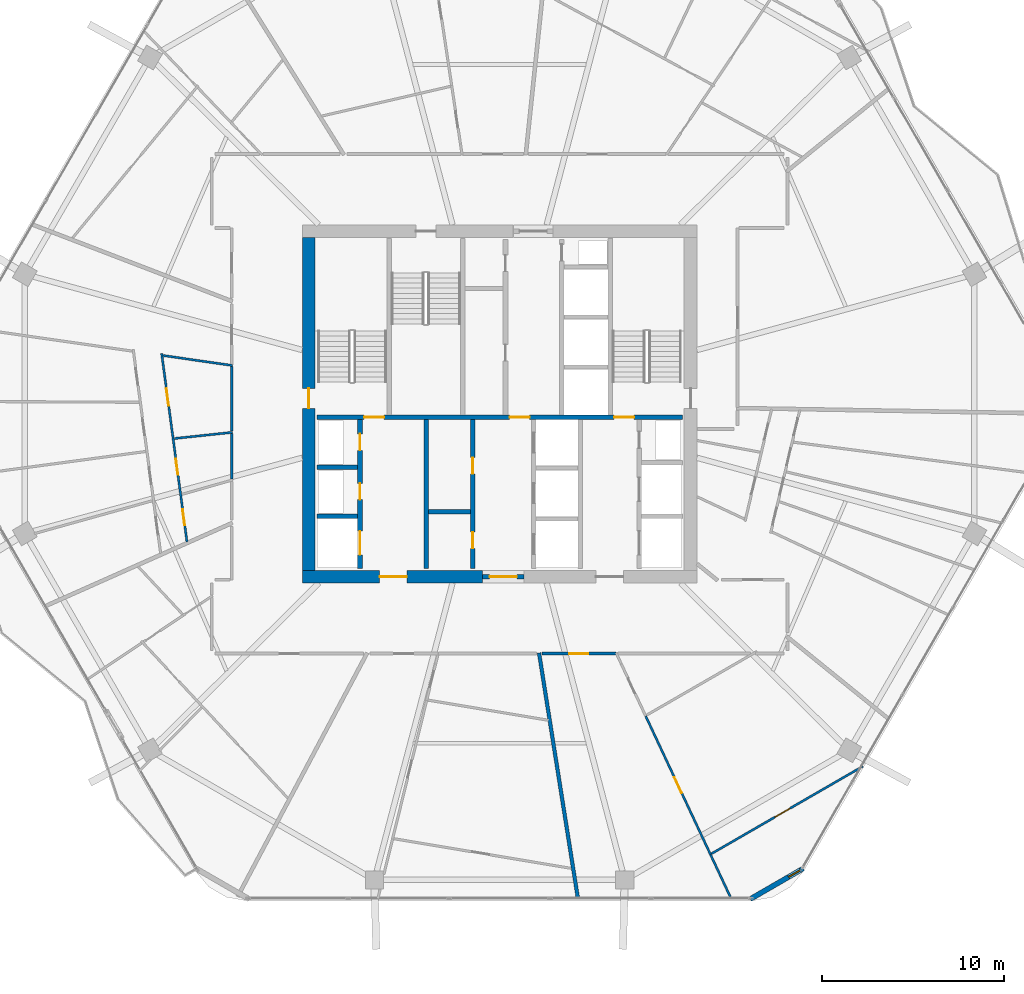
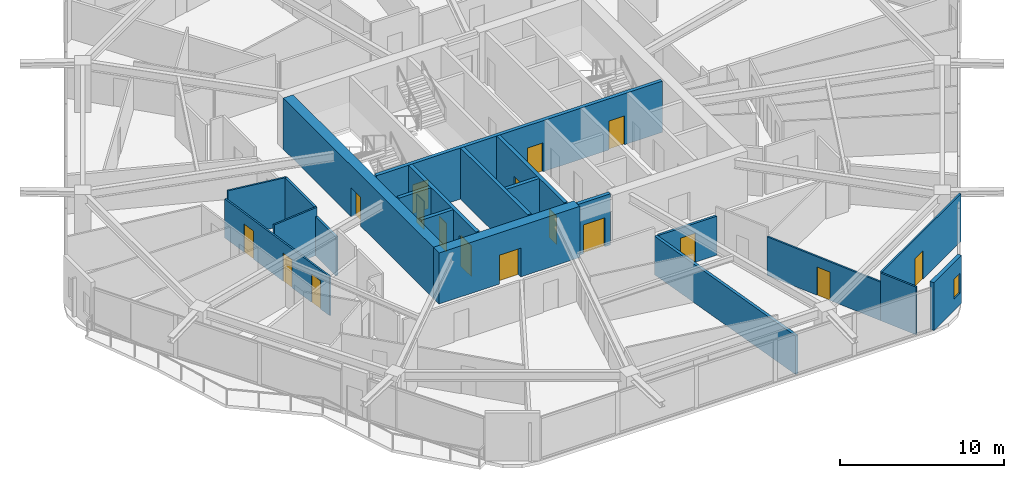
# One storey, part 18 of 25: 21 walls, 17 doors, 1 window, 18 openings.
"""IFC4 building model written with IfcOpenShell, lengths in metres."""

from ifc_helpers import new_model, si_unit, direction, frame, frame_2d, origin, place, context, subcontext, project, spatial, rectangle, extrude, material, layer, layer_set, type_object, element, fill, save


model = new_model("IFC4")

# Units and contexts
model_context = context("Model", 3, precision=1e-05, world=origin(), true_north=direction((0.0, 1.0)))
body_context = subcontext(model_context, "Body", "Model", "MODEL_VIEW")
ifc_project = project(units=[si_unit("LENGTHUNIT", "METRE"), si_unit("AREAUNIT", "SQUARE_METRE"), si_unit("VOLUMEUNIT", "CUBIC_METRE"), si_unit("PLANEANGLEUNIT", "RADIAN"), si_unit("MASSUNIT", "GRAM", prefix="KILO")], contexts=[model_context])

# Site, building, storey
site_placement = place(None, origin())
site = spatial("IfcSite", under=ifc_project, at=site_placement, CompositionType="ELEMENT")
building_placement = place(site_placement, origin())
building = spatial("IfcBuilding", under=site, at=building_placement, Name="Zuhravey Tower", CompositionType="ELEMENT")
storey_placement = place(building_placement, frame((0.0, 0.0, 180.800048828125)))
storey = spatial("IfcBuildingStorey", under=building, at=storey_placement, Name="L45", CompositionType="ELEMENT", Elevation=180.800048828125)

# Wall, opening, door
ifc_material_1 = material(Name="Concrete C60/75", Category="concrete")
ifc_layer_1 = layer(ifc_material_1, 0.699951171875)
ifc_layer_set_1 = layer_set([ifc_layer_1], Name="Concrete C60/75")
wall_type_1 = type_object("IfcWallType", Name="Core Shear Wall 700", PredefinedType="SHEAR", material=ifc_layer_set_1)
wall_1_placement = place(storey_placement, frame((25.14990234375, 22.5, 0.0), z_axis=(0.0, 0.0, 1.0), x_axis=(1.0, 0.0, 0.0)))
wall_1 = element("IfcWall", 1, at=wall_1_placement, inside=storey, type_object=wall_type_1, Name="L45 South-West Core Shear Wall CW70", PredefinedType="SHEAR", context=body_context, shape_type="SweptSolid", body=[
    extrude(rectangle(XDim=9.900146484375, YDim=0.699951171875, at=frame_2d((4.9501953125, 0.0))), origin(), (0.0, 0.0, 1.0), 3.800048828125),
])
opening_1_placement = place(wall_1_placement, frame((4.25, 0.0, 0.0)))
opening_1 = element("IfcOpeningElement", 2, at=opening_1_placement, cuts=wall_1, Name="Opening FFD1", PredefinedType="OPENING", context=body_context, shape_type="SweptSolid", body=[
    extrude(rectangle(XDim=1.5, YDim=2.14990234375, at=frame_2d((0.75, 1.074951171875))), frame((0.0, 0.362060546875, 0.0), z_axis=(0.0, -1.0, 0.0), x_axis=(1.0, 0.0, 0.0)), (0.0, 0.0, 1.0), 0.723876953125),
])
ifc_material_2 = material(Name="Galvanised fire-rated steel leaf", Category="steel")
door_type_1 = type_object("IfcDoorType", Name="Firefighting Lobby Double Door 1500x2150", OperationType="DOUBLE_DOOR_SINGLE_SWING", PredefinedType="DOOR", material=ifc_material_2)
door_1_placement = place(opening_1_placement, origin())
door_1 = element("IfcDoor", 3, at=door_1_placement, inside=storey, type_object=door_type_1, Name="L45 Firefighting Lobby West Door", OperationType="DOUBLE_DOOR_SINGLE_SWING", OverallHeight=2.14990234375, OverallWidth=1.5, PredefinedType="DOOR", context=body_context, shape_type="SweptSolid", body=[
    extrude(rectangle(XDim=1.5, YDim=2.14990234375, at=frame_2d((0.75, 1.074951171875))), frame((0.0, 0.02490234375, 0.0), z_axis=(0.0, -1.0, 0.0), x_axis=(1.0, 0.0, 0.0)), (0.0, 0.0, 1.0), 0.050048828125),
])
fill(opening_1, door_1)

wall_2_placement = place(storey_placement, frame((25.5, 22.85009765625, 0.0), z_axis=(0.0, 0.0, 1.0), x_axis=(0.0, 1.0, 0.0)))
wall_2 = element("IfcWall", 4, at=wall_2_placement, inside=storey, type_object=wall_type_1, Name="L45 West Core Shear Wall CW70", PredefinedType="SHEAR", context=body_context, shape_type="SweptSolid", body=[
    extrude(rectangle(XDim=18.2998046875, YDim=0.699951171875, at=frame_2d((9.14990234375, 0.0))), origin(), (0.0, 0.0, 1.0), 3.800048828125),
])
opening_2_placement = place(wall_2_placement, frame((8.89990234375, 0.0, 0.0)))
opening_2 = element("IfcOpeningElement", 5, at=opening_2_placement, cuts=wall_2, Name="Opening STD1", PredefinedType="OPENING", context=body_context, shape_type="SweptSolid", body=[
    extrude(rectangle(XDim=1.10009765625, YDim=2.14990234375, at=frame_2d((0.550048828125, 1.074951171875))), frame((0.0, 0.362060546875, 0.0), z_axis=(0.0, -1.0, 0.0), x_axis=(1.0, 0.0, 0.0)), (0.0, 0.0, 1.0), 0.723876953125),
])
door_type_2 = type_object("IfcDoorType", Name="Protected Stair Fire Door 1100x2150", OperationType="NOTDEFINED", PredefinedType="USERDEFINED", material=ifc_material_2)
door_2_placement = place(opening_2_placement, frame((1.10009765625, 0.0, 0.0), z_axis=(0.0, 0.0, 1.0), x_axis=(-1.0, 0.0, 0.0)))
door_2 = element("IfcDoor", 6, at=door_2_placement, inside=storey, type_object=door_type_2, Name="L45 Stair ST1 Door", ObjectType="EXITDOOR", OperationType="SINGLE_SWING_RIGHT", OverallHeight=2.14990234375, OverallWidth=1.10009765625, PredefinedType="USERDEFINED", context=body_context, shape_type="SweptSolid", body=[
    extrude(rectangle(XDim=1.10009765625, YDim=2.14990234375, at=frame_2d((0.550048828125, 1.074951171875))), frame((0.0, 0.02490234375, 0.0), z_axis=(0.0, -1.0, 0.0), x_axis=(1.0, 0.0, 0.0)), (0.0, 0.0, 1.0), 0.050048828125),
])
fill(opening_2, door_2)

ifc_material_3 = material(Name="Gypsum fire-rated stud partition")
ifc_layer_2 = layer(ifc_material_3, 0.159912109375)
ifc_layer_set_2 = layer_set([ifc_layer_2], Name="Gypsum fire-rated stud partition")
wall_type_2 = type_object("IfcWallType", Name="Corridor Fire Partition 160", PredefinedType="PARTITIONING", material=ifc_layer_set_2)
wall_3_placement = place(storey_placement, frame((38.31787109375, 18.27001953125, 0.0), z_axis=(0.0, 0.0, 1.0), x_axis=(1.0, 0.0, 0.0)))
wall_3 = element("IfcWall", 7, at=wall_3_placement, inside=storey, type_object=wall_type_2, Name="L45 IW16 Partition 050", PredefinedType="PARTITIONING", context=body_context, shape_type="SweptSolid", body=[
    extrude(rectangle(XDim=4.0859375, YDim=0.159912109375, at=frame_2d((2.04296875, 0.0))), origin(), (0.0, 0.0, 1.0), 2.89990234375),
])
opening_3_placement = place(wall_3_placement, frame((1.517822265625, 0.0, 0.0)))
opening_3 = element("IfcOpeningElement", 8, at=opening_3_placement, cuts=wall_3, Name="Opening APD1", PredefinedType="OPENING", context=body_context, shape_type="SweptSolid", body=[
    extrude(rectangle(XDim=1.050048828125, YDim=2.14990234375, at=frame_2d((0.52490234375, 1.074951171875))), frame((0.0, 0.092041015625, 0.0), z_axis=(0.0, -1.0, 0.0), x_axis=(1.0, 0.0, 0.0)), (0.0, 0.0, 1.0), 0.183837890625),
])
ifc_material_4 = material(Name="Solid-core oak fire-rated leaf")
door_type_3 = type_object("IfcDoorType", Name="Apartment Entrance Fire Door 1050x2150", OperationType="NOTDEFINED", PredefinedType="DOOR", material=ifc_material_4)
door_3_placement = place(opening_3_placement, frame((1.050048828125, 0.0, 0.0), z_axis=(0.0, 0.0, 1.0), x_axis=(-1.0, 0.0, 0.0)))
door_3 = element("IfcDoor", 9, at=door_3_placement, inside=storey, type_object=door_type_3, Name="L45 Door 050.1", OperationType="SINGLE_SWING_RIGHT", OverallHeight=2.14990234375, OverallWidth=1.050048828125, PredefinedType="DOOR", context=body_context, shape_type="SweptSolid", body=[
    extrude(rectangle(XDim=1.050048828125, YDim=2.14990234375, at=frame_2d((0.52490234375, 1.074951171875))), frame((0.0, 0.02490234375, 0.0), z_axis=(0.0, -1.0, 0.0), x_axis=(1.0, 0.0, 0.0)), (0.0, 0.0, 1.0), 0.050048828125),
])
fill(opening_3, door_3)

# Walls
wall_4_placement = place(storey_placement, frame((21.27001953125, 34.048583984375, 0.0), z_axis=(0.0, 0.0, 1.0), x_axis=(0.0, -1.0, 0.0)))
element("IfcWall", 10, at=wall_4_placement, inside=storey, type_object=wall_type_2, Name="L45 IW16 Partition 111", PredefinedType="PARTITIONING", context=body_context, shape_type="SweptSolid", body=[
    extrude(rectangle(XDim=3.548095703125, YDim=0.159912109375, at=frame_2d((1.77392578125, 0.0))), origin(), (0.0, 0.0, 1.0), 3.550048828125),
])
wall_5_placement = place(storey_placement, frame((21.27001953125, 30.36376953125, 0.0), z_axis=(0.0, 0.0, 1.0), x_axis=(0.0, -1.0, 0.0)))
element("IfcWall", 11, at=wall_5_placement, inside=storey, type_object=wall_type_2, Name="L45 IW16 Partition 112", PredefinedType="PARTITIONING", context=body_context, shape_type="SweptSolid", body=[
    extrude(rectangle(XDim=2.488037109375, YDim=0.159912109375, at=frame_2d((1.244140625, 0.0))), origin(), (0.0, 0.0, 1.0), 2.89990234375),
])

# Wall, opening, window
ifc_material_5 = material(Name="Precast concrete C40/50", Category="concrete")
ifc_layer_3 = layer(ifc_material_5, 0.280029296875)
ifc_layer_set_3 = layer_set([ifc_layer_3], Name="Precast concrete C40/50")
wall_type_3 = type_object("IfcWallType", Name="Crown Architectural Wall 280", PredefinedType="SOLIDWALL", material=ifc_layer_set_3)
wall_6_placement = place(storey_placement, frame((52.693115234375, 6.451904296875, 0.0), z_axis=(0.0, 0.0, 1.0), x_axis=(-0.866020068361, -0.500009241111, 0.0)))
wall_6 = element("IfcWall", 12, at=wall_6_placement, inside=storey, type_object=wall_type_3, Name="L45 Rounded Corner Closure Wall EW28-02", PredefinedType="SOLIDWALL", context=body_context, shape_type="SweptSolid", body=[
    extrude(rectangle(XDim=3.365234375, YDim=0.280029296875, at=frame_2d((1.6826171875, 0.0))), origin(), (0.0, 0.0, 1.0), 3.550048828125),
])
opening_4_placement = place(wall_6_placement, frame((0.17919921875, 0.0, 0.85009765625)))
opening_4 = element("IfcOpeningElement", 13, at=opening_4_placement, cuts=wall_6, Name="Opening WN5", PredefinedType="OPENING", context=body_context, shape_type="SweptSolid", body=[
    extrude(rectangle(XDim=0.75, YDim=1.5, at=frame_2d((0.375, 0.75))), frame((0.0, 0.152099609375, 0.0), z_axis=(0.0, -1.0, 0.0), x_axis=(1.0, 0.0, 0.0)), (0.0, 0.0, 1.0), 0.303955078125),
])
ifc_material_6 = material(Name="Thermally broken aluminium and triple low-E glass", Category="aluminium")
window_type = type_object("IfcWindowType", Name="Residential Corner Casement Window 750x1500", PartitioningType="SINGLE_PANEL", PredefinedType="WINDOW", material=ifc_material_6)
window_placement = place(opening_4_placement, origin())
window = element("IfcWindow", 14, at=window_placement, inside=storey, type_object=window_type, Name="L45 Corner Casement Window WN5-02.1", OverallHeight=1.5, OverallWidth=0.75, PartitioningType="SINGLE_PANEL", PredefinedType="WINDOW", context=body_context, shape_type="SweptSolid", body=[
    extrude(rectangle(XDim=0.75, YDim=1.5, at=frame_2d((0.375, 0.75))), frame((0.0, 0.030029296875, 0.0), z_axis=(0.0, -1.0, 0.0), x_axis=(1.0, 0.0, 0.0)), (0.0, 0.0, 1.0), 0.06005859375),
])
fill(opening_4, window)

# Wall, opening, door
ifc_material_7 = material(Name="Concrete C50/60", Category="concrete")
ifc_layer_4 = layer(ifc_material_7, 0.25)
ifc_layer_set_4 = layer_set([ifc_layer_4], Name="Concrete C50/60")
wall_type_4 = type_object("IfcWallType", Name="Firefighting Shaft & Stair Wall 250", PredefinedType="SOLIDWALL", material=ifc_layer_set_4)
wall_7_placement = place(storey_placement, frame((35.06005859375, 22.5, 0.0), z_axis=(0.0, 0.0, 1.0), x_axis=(1.0, 0.0, 0.0)))
wall_7 = element("IfcWall", 15, at=wall_7_placement, inside=storey, type_object=wall_type_4, Name="L45 FW25 Shaft Wall 001", PredefinedType="SOLIDWALL", context=body_context, shape_type="SweptSolid", body=[
    extrude(rectangle(XDim=2.280029296875, YDim=0.25, at=frame_2d((1.14013671875, 0.0))), origin(), (0.0, 0.0, 1.0), 3.800048828125),
])
opening_5_placement = place(wall_7_placement, frame((0.389892578125, 0.0, 0.0)))
opening_5 = element("IfcOpeningElement", 16, at=opening_5_placement, cuts=wall_7, Name="Opening FFD1", PredefinedType="OPENING", context=body_context, shape_type="SweptSolid", body=[
    extrude(rectangle(XDim=1.5, YDim=2.14990234375, at=frame_2d((0.75, 1.074951171875))), frame((0.0, 0.136962890625, 0.0), z_axis=(0.0, -1.0, 0.0), x_axis=(1.0, 0.0, 0.0)), (0.0, 0.0, 1.0), 0.27392578125),
])
door_4_placement = place(opening_5_placement, frame((1.5, 0.0, 0.0), z_axis=(0.0, 0.0, 1.0), x_axis=(-1.0, 0.0, 0.0)))
door_4 = element("IfcDoor", 17, at=door_4_placement, inside=storey, type_object=door_type_1, Name="L45 South Lift Lobby Exit Door", OperationType="DOUBLE_DOOR_SINGLE_SWING", OverallHeight=2.14990234375, OverallWidth=1.5, PredefinedType="DOOR", context=body_context, shape_type="SweptSolid", body=[
    extrude(rectangle(XDim=1.5, YDim=2.14990234375, at=frame_2d((0.75, 1.074951171875))), frame((0.0, 0.02490234375, 0.0), z_axis=(0.0, -1.0, 0.0), x_axis=(1.0, 0.0, 0.0)), (0.0, 0.0, 1.0), 0.050048828125),
])
fill(opening_5, door_4)

# Wall, openings, doors
wall_8_placement = place(storey_placement, frame((25.949951171875, 31.27490234375, 0.0), z_axis=(0.0, 0.0, 1.0), x_axis=(1.0, 0.0, 0.0)))
wall_8 = element("IfcWall", 18, at=wall_8_placement, inside=storey, type_object=wall_type_4, Name="L45 FW25 Shaft Wall 003", PredefinedType="SOLIDWALL", context=body_context, shape_type="SweptSolid", body=[
    extrude(rectangle(XDim=20.10009765625, YDim=0.25, at=frame_2d((10.050048828125, 0.0))), origin(), (0.0, 0.0, 1.0), 3.800048828125),
])
opening_6_placement = place(wall_8_placement, frame((2.60009765625, 0.0, 0.0)))
opening_6 = element("IfcOpeningElement", 19, at=opening_6_placement, cuts=wall_8, Name="Opening STD1", PredefinedType="OPENING", context=body_context, shape_type="SweptSolid", body=[
    extrude(rectangle(XDim=1.10009765625, YDim=2.14990234375, at=frame_2d((0.550048828125, 1.074951171875))), frame((0.0, 0.136962890625, 0.0), z_axis=(0.0, -1.0, 0.0), x_axis=(1.0, 0.0, 0.0)), (0.0, 0.0, 1.0), 0.27392578125),
])
opening_7_placement = place(wall_8_placement, frame((10.60009765625, 0.0, 0.0)))
opening_7 = element("IfcOpeningElement", 20, at=opening_7_placement, cuts=wall_8, Name="Opening STD1", PredefinedType="OPENING", context=body_context, shape_type="SweptSolid", body=[
    extrude(rectangle(XDim=1.10009765625, YDim=2.14990234375, at=frame_2d((0.550048828125, 1.074951171875))), frame((0.0, 0.136962890625, 0.0), z_axis=(0.0, -1.0, 0.0), x_axis=(1.0, 0.0, 0.0)), (0.0, 0.0, 1.0), 0.27392578125),
])
opening_8_placement = place(wall_8_placement, frame((16.35009765625, 0.0, 0.0)))
opening_8 = element("IfcOpeningElement", 21, at=opening_8_placement, cuts=wall_8, Name="Opening STD1", PredefinedType="OPENING", context=body_context, shape_type="SweptSolid", body=[
    extrude(rectangle(XDim=1.10009765625, YDim=2.14990234375, at=frame_2d((0.550048828125, 1.074951171875))), frame((0.0, 0.136962890625, 0.0), z_axis=(0.0, -1.0, 0.0), x_axis=(1.0, 0.0, 0.0)), (0.0, 0.0, 1.0), 0.27392578125),
])
door_5_placement = place(opening_6_placement, origin())
door_5 = element("IfcDoor", 22, at=door_5_placement, inside=storey, type_object=door_type_2, Name="L45 FFL-W to ST1 Door", ObjectType="EXITDOOR", OperationType="SINGLE_SWING_LEFT", OverallHeight=2.14990234375, OverallWidth=1.10009765625, PredefinedType="USERDEFINED", context=body_context, shape_type="SweptSolid", body=[
    extrude(rectangle(XDim=1.10009765625, YDim=2.14990234375, at=frame_2d((0.550048828125, 1.074951171875))), frame((0.0, 0.02490234375, 0.0), z_axis=(0.0, -1.0, 0.0), x_axis=(1.0, 0.0, 0.0)), (0.0, 0.0, 1.0), 0.050048828125),
])
fill(opening_6, door_5)
door_6_placement = place(opening_7_placement, origin())
door_6 = element("IfcDoor", 23, at=door_6_placement, inside=storey, type_object=door_type_2, Name="L45 Core Lobby Link Door", ObjectType="EXITDOOR", OperationType="SINGLE_SWING_RIGHT", OverallHeight=2.14990234375, OverallWidth=1.10009765625, PredefinedType="USERDEFINED", context=body_context, shape_type="SweptSolid", body=[
    extrude(rectangle(XDim=1.10009765625, YDim=2.14990234375, at=frame_2d((0.550048828125, 1.074951171875))), frame((0.0, 0.02490234375, 0.0), z_axis=(0.0, -1.0, 0.0), x_axis=(1.0, 0.0, 0.0)), (0.0, 0.0, 1.0), 0.050048828125),
])
fill(opening_7, door_6)
door_7_placement = place(opening_8_placement, origin())
door_7 = element("IfcDoor", 24, at=door_7_placement, inside=storey, type_object=door_type_2, Name="L45 FFL-E to ST2 Door", ObjectType="EXITDOOR", OperationType="SINGLE_SWING_LEFT", OverallHeight=2.14990234375, OverallWidth=1.10009765625, PredefinedType="USERDEFINED", context=body_context, shape_type="SweptSolid", body=[
    extrude(rectangle(XDim=1.10009765625, YDim=2.14990234375, at=frame_2d((0.550048828125, 1.074951171875))), frame((0.0, 0.02490234375, 0.0), z_axis=(0.0, -1.0, 0.0), x_axis=(1.0, 0.0, 0.0)), (0.0, 0.0, 1.0), 0.050048828125),
])
fill(opening_8, door_7)

# Walls
for number, where, z_axis, x_axis, name in (
    (25, (25.949951171875, 25.824951171875, 0.0), (0.0, 0.0, 1.0), (1.0, 0.0, 0.0), "L45 FW25 Shaft Wall 009"),
    (26, (25.949951171875, 28.52490234375, 0.0), (0.0, 0.0, 1.0), (1.0, 0.0, 0.0), "L45 FW25 Shaft Wall 010"),
):
    element("IfcWall", number, at=place(storey_placement, frame(where, z_axis=z_axis, x_axis=x_axis)), inside=storey, type_object=wall_type_4, Name=name, PredefinedType="SOLIDWALL", context=body_context, shape_type="SweptSolid", body=[
        extrude(rectangle(XDim=2.25, YDim=0.25, at=frame_2d((1.125, 0.0))), origin(), (0.0, 0.0, 1.0), 3.800048828125),
    ])

# Wall, openings, doors
wall_9_placement = place(storey_placement, frame((28.324951171875, 22.949951171875, 0.0), z_axis=(0.0, 0.0, 1.0), x_axis=(0.0, 1.0, 0.0)))
wall_9 = element("IfcWall", 27, at=wall_9_placement, inside=storey, type_object=wall_type_4, Name="L45 FW25 Shaft Wall 011", PredefinedType="SOLIDWALL", context=body_context, shape_type="SweptSolid", body=[
    extrude(rectangle(XDim=8.199951171875, YDim=0.25, at=frame_2d((4.10009765625, 0.0))), origin(), (0.0, 0.0, 1.0), 3.800048828125),
])
opening_9_placement = place(wall_9_placement, frame((0.75, 0.0, 0.0)))
opening_9 = element("IfcOpeningElement", 28, at=opening_9_placement, cuts=wall_9, Name="Opening LD2", PredefinedType="OPENING", context=body_context, shape_type="SweptSolid", body=[
    extrude(rectangle(XDim=1.300048828125, YDim=2.300048828125, at=frame_2d((0.64990234375, 1.14990234375))), frame((0.0, 0.136962890625, 0.0), z_axis=(0.0, -1.0, 0.0), x_axis=(1.0, 0.0, 0.0)), (0.0, 0.0, 1.0), 0.27392578125),
])
opening_10_placement = place(wall_9_placement, frame((3.780029296875, 0.0, 0.0)))
opening_10 = element("IfcOpeningElement", 29, at=opening_10_placement, cuts=wall_9, Name="Opening RSD1", PredefinedType="OPENING", context=body_context, shape_type="SweptSolid", body=[
    extrude(rectangle(XDim=0.89990234375, YDim=2.10009765625, at=frame_2d((0.449951171875, 1.050048828125))), frame((0.0, 0.136962890625, 0.0), z_axis=(0.0, -1.0, 0.0), x_axis=(1.0, 0.0, 0.0)), (0.0, 0.0, 1.0), 0.27392578125),
])
opening_11_placement = place(wall_9_placement, frame((6.5, 0.0, 0.0)))
opening_11 = element("IfcOpeningElement", 30, at=opening_11_placement, cuts=wall_9, Name="Opening RSD1", PredefinedType="OPENING", context=body_context, shape_type="SweptSolid", body=[
    extrude(rectangle(XDim=0.89990234375, YDim=2.10009765625, at=frame_2d((0.449951171875, 1.050048828125))), frame((0.0, 0.136962890625, 0.0), z_axis=(0.0, -1.0, 0.0), x_axis=(1.0, 0.0, 0.0)), (0.0, 0.0, 1.0), 0.27392578125),
])
ifc_material_8 = material(Name="Brushed stainless steel", Category="steel")
door_type_4 = type_object("IfcDoorType", Name="Freight & Stretcher Lift Sliding Door 1300x2300", OperationType="DOUBLE_DOOR_SLIDING", PredefinedType="DOOR", material=ifc_material_8)
door_8_placement = place(opening_9_placement, frame((1.300048828125, 0.0, 0.0), z_axis=(0.0, 0.0, 1.0), x_axis=(-1.0, 0.0, 0.0)))
door_8 = element("IfcDoor", 31, at=door_8_placement, inside=storey, type_object=door_type_4, Name="L45 Lift FF1 Landing Door", OperationType="DOUBLE_DOOR_SLIDING", OverallHeight=2.300048828125, OverallWidth=1.300048828125, PredefinedType="DOOR", context=body_context, shape_type="SweptSolid", body=[
    extrude(rectangle(XDim=1.300048828125, YDim=2.300048828125, at=frame_2d((0.64990234375, 1.14990234375))), frame((0.0, 0.02490234375, 0.0), z_axis=(0.0, -1.0, 0.0), x_axis=(1.0, 0.0, 0.0)), (0.0, 0.0, 1.0), 0.050048828125),
])
fill(opening_9, door_8)
ifc_material_9 = material(Name="Galvanised fire-rated steel access leaf", Category="steel")
door_type_5 = type_object("IfcDoorType", Name="Riser & Shaft Access Fire Door 900x2100", OperationType="NOTDEFINED", PredefinedType="DOOR", material=ifc_material_9)
door_9_placement = place(opening_10_placement, frame((0.89990234375, 0.0, 0.0), z_axis=(0.0, 0.0, 1.0), x_axis=(-1.0, 0.0, 0.0)))
door_9 = element("IfcDoor", 32, at=door_9_placement, inside=storey, type_object=door_type_5, Name="L45 Electrical Riser Door", OperationType="SINGLE_SWING_LEFT", OverallHeight=2.10009765625, OverallWidth=0.89990234375, PredefinedType="DOOR", context=body_context, shape_type="SweptSolid", body=[
    extrude(rectangle(XDim=0.89990234375, YDim=2.10009765625, at=frame_2d((0.449951171875, 1.050048828125))), frame((0.0, 0.02490234375, 0.0), z_axis=(0.0, -1.0, 0.0), x_axis=(1.0, 0.0, 0.0)), (0.0, 0.0, 1.0), 0.050048828125),
])
fill(opening_10, door_9)
door_10_placement = place(opening_11_placement, frame((0.89990234375, 0.0, 0.0), z_axis=(0.0, 0.0, 1.0), x_axis=(-1.0, 0.0, 0.0)))
door_10 = element("IfcDoor", 33, at=door_10_placement, inside=storey, type_object=door_type_5, Name="L45 Smoke Shaft Access Door", OperationType="SINGLE_SWING_RIGHT", OverallHeight=2.10009765625, OverallWidth=0.89990234375, PredefinedType="DOOR", context=body_context, shape_type="SweptSolid", body=[
    extrude(rectangle(XDim=0.89990234375, YDim=2.10009765625, at=frame_2d((0.449951171875, 1.050048828125))), frame((0.0, 0.02490234375, 0.0), z_axis=(0.0, -1.0, 0.0), x_axis=(1.0, 0.0, 0.0)), (0.0, 0.0, 1.0), 0.050048828125),
])
fill(opening_11, door_10)

# Walls
wall_10_placement = place(storey_placement, frame((31.97509765625, 22.949951171875, 0.0), z_axis=(0.0, 0.0, 1.0), x_axis=(0.0, 1.0, 0.0)))
element("IfcWall", 34, at=wall_10_placement, inside=storey, type_object=wall_type_4, Name="L45 FW25 Shaft Wall 012", PredefinedType="SOLIDWALL", context=body_context, shape_type="SweptSolid", body=[
    extrude(rectangle(XDim=8.199951171875, YDim=0.25, at=frame_2d((4.10009765625, 0.0))), origin(), (0.0, 0.0, 1.0), 3.800048828125),
])
wall_11_placement = place(storey_placement, frame((32.10009765625, 26.074951171875, 0.0), z_axis=(0.0, 0.0, 1.0), x_axis=(1.0, 0.0, 0.0)))
element("IfcWall", 35, at=wall_11_placement, inside=storey, type_object=wall_type_4, Name="L45 FW25 Shaft Wall 013", PredefinedType="SOLIDWALL", context=body_context, shape_type="SweptSolid", body=[
    extrude(rectangle(XDim=2.2998046875, YDim=0.25, at=frame_2d((1.14990234375, 0.0))), origin(), (0.0, 0.0, 1.0), 3.800048828125),
])

# Wall, openings, doors
wall_12_placement = place(storey_placement, frame((34.52490234375, 22.949951171875, 0.0), z_axis=(0.0, 0.0, 1.0), x_axis=(0.0, 1.0, 0.0)))
wall_12 = element("IfcWall", 36, at=wall_12_placement, inside=storey, type_object=wall_type_4, Name="L45 FW25 Shaft Wall 014", PredefinedType="SOLIDWALL", context=body_context, shape_type="SweptSolid", body=[
    extrude(rectangle(XDim=8.199951171875, YDim=0.25, at=frame_2d((4.10009765625, 0.0))), origin(), (0.0, 0.0, 1.0), 3.800048828125),
])
opening_12_placement = place(wall_12_placement, frame((1.10009765625, 0.0, 0.0)))
opening_12 = element("IfcOpeningElement", 37, at=opening_12_placement, cuts=wall_12, Name="Opening RSD1", PredefinedType="OPENING", context=body_context, shape_type="SweptSolid", body=[
    extrude(rectangle(XDim=0.89990234375, YDim=2.10009765625, at=frame_2d((0.449951171875, 1.050048828125))), frame((0.0, 0.136962890625, 0.0), z_axis=(0.0, -1.0, 0.0), x_axis=(1.0, 0.0, 0.0)), (0.0, 0.0, 1.0), 0.27392578125),
])
opening_13_placement = place(wall_12_placement, frame((5.199951171875, 0.0, 0.0)))
opening_13 = element("IfcOpeningElement", 38, at=opening_13_placement, cuts=wall_12, Name="Opening RSD1", PredefinedType="OPENING", context=body_context, shape_type="SweptSolid", body=[
    extrude(rectangle(XDim=0.89990234375, YDim=2.10009765625, at=frame_2d((0.449951171875, 1.050048828125))), frame((0.0, 0.136962890625, 0.0), z_axis=(0.0, -1.0, 0.0), x_axis=(1.0, 0.0, 0.0)), (0.0, 0.0, 1.0), 0.27392578125),
])
door_11_placement = place(opening_12_placement, origin())
door_11 = element("IfcDoor", 39, at=door_11_placement, inside=storey, type_object=door_type_5, Name="L45 Metering Room Door", OperationType="SINGLE_SWING_LEFT", OverallHeight=2.10009765625, OverallWidth=0.89990234375, PredefinedType="DOOR", context=body_context, shape_type="SweptSolid", body=[
    extrude(rectangle(XDim=0.89990234375, YDim=2.10009765625, at=frame_2d((0.449951171875, 1.050048828125))), frame((0.0, 0.02490234375, 0.0), z_axis=(0.0, -1.0, 0.0), x_axis=(1.0, 0.0, 0.0)), (0.0, 0.0, 1.0), 0.050048828125),
])
fill(opening_12, door_11)
door_12_placement = place(opening_13_placement, origin())
door_12 = element("IfcDoor", 40, at=door_12_placement, inside=storey, type_object=door_type_5, Name="L45 Housekeeping Supply Door", OperationType="SINGLE_SWING_RIGHT", OverallHeight=2.10009765625, OverallWidth=0.89990234375, PredefinedType="DOOR", context=body_context, shape_type="SweptSolid", body=[
    extrude(rectangle(XDim=0.89990234375, YDim=2.10009765625, at=frame_2d((0.449951171875, 1.050048828125))), frame((0.0, 0.02490234375, 0.0), z_axis=(0.0, -1.0, 0.0), x_axis=(1.0, 0.0, 0.0)), (0.0, 0.0, 1.0), 0.050048828125),
])
fill(opening_13, door_12)

# Wall
ifc_material_10 = material(Name="Gypsum double-stud party assembly")
ifc_layer_5 = layer(ifc_material_10, 0.199951171875)
ifc_layer_set_5 = layer_set([ifc_layer_5], Name="Gypsum double-stud party assembly")
wall_type_5 = type_object("IfcWallType", Name="Inter-Tenancy Party Wall 200", PredefinedType="PARTITIONING", material=ifc_layer_set_5)
wall_13_placement = place(storey_placement, frame((38.168212890625, 18.31005859375, 0.0), z_axis=(0.0, 0.0, 1.0), x_axis=(0.156441591032, -0.987687211923, 0.0)))
element("IfcWall", 41, at=wall_13_placement, inside=storey, type_object=wall_type_5, Name="L45 IW20 Partition 091", PredefinedType="PARTITIONING", context=body_context, shape_type="SweptSolid", body=[
    extrude(rectangle(XDim=13.661376953125, YDim=0.199951171875, at=frame_2d((6.83056640625, 0.0))), origin(), (0.0, 0.0, 1.0), 2.869873046875),
])

# Wall, openings, doors
ifc_material_11 = material(Name="Gypsum metal-stud partition")
ifc_layer_6 = layer(ifc_material_11, 0.1201171875)
ifc_layer_set_6 = layer_set([ifc_layer_6], Name="Gypsum metal-stud partition")
wall_type_6 = type_object("IfcWallType", Name="Unit Internal Partition 120", PredefinedType="PARTITIONING", material=ifc_layer_set_6)
wall_14_placement = place(storey_placement, frame((17.417724609375, 34.772216796875, 0.0), z_axis=(0.0, 0.0, 1.0), x_axis=(0.133300793384, -0.991075627025, 0.0)))
wall_14 = element("IfcWall", 42, at=wall_14_placement, inside=storey, type_object=wall_type_6, Name="L45 IW12 Partition 035", PredefinedType="PARTITIONING", context=body_context, shape_type="SweptSolid", body=[
    extrude(rectangle(XDim=10.44873046875, YDim=0.1201171875, at=frame_2d((5.224365234375, 0.0))), origin(), (0.0, 0.0, 1.0), 2.89990234375),
])
opening_14_placement = place(wall_14_placement, frame((1.939697265625, 0.0, 0.0)))
opening_14 = element("IfcOpeningElement", 43, at=opening_14_placement, cuts=wall_14, Name="Opening IND1", PredefinedType="OPENING", context=body_context, shape_type="SweptSolid", body=[
    extrude(rectangle(XDim=0.949951171875, YDim=2.10009765625, at=frame_2d((0.47509765625, 1.050048828125))), frame((0.0, 0.072021484375, 0.0), z_axis=(0.0, -1.0, 0.0), x_axis=(1.0, 0.0, 0.0)), (0.0, 0.0, 1.0), 0.14404296875),
])
opening_15_placement = place(wall_14_placement, frame((5.830810546875, 0.0, 0.0)))
opening_15 = element("IfcOpeningElement", 44, at=opening_15_placement, cuts=wall_14, Name="Opening WCD1", PredefinedType="OPENING", context=body_context, shape_type="SweptSolid", body=[
    extrude(rectangle(XDim=0.89990234375, YDim=2.10009765625, at=frame_2d((0.449951171875, 1.050048828125))), frame((0.0, 0.072021484375, 0.0), z_axis=(0.0, -1.0, 0.0), x_axis=(1.0, 0.0, 0.0)), (0.0, 0.0, 1.0), 0.14404296875),
])
opening_16_placement = place(wall_14_placement, frame((8.64013671875, 0.0, 0.0)))
opening_16 = element("IfcOpeningElement", 45, at=opening_16_placement, cuts=wall_14, Name="Opening WCD1", PredefinedType="OPENING", context=body_context, shape_type="SweptSolid", body=[
    extrude(rectangle(XDim=0.89990234375, YDim=2.10009765625, at=frame_2d((0.449951171875, 1.050048828125))), frame((0.0, 0.072021484375, 0.0), z_axis=(0.0, -1.0, 0.0), x_axis=(1.0, 0.0, 0.0)), (0.0, 0.0, 1.0), 0.14404296875),
])
ifc_material_12 = material(Name="Moisture-resistant timber leaf", Category="wood")
door_type_6 = type_object("IfcDoorType", Name="Bathroom & WC Internal Door 900x2100", OperationType="NOTDEFINED", PredefinedType="DOOR", material=ifc_material_12)
door_13_placement = place(opening_15_placement, origin())
door_13 = element("IfcDoor", 46, at=door_13_placement, inside=storey, type_object=door_type_6, Name="Apartment L45-04 Bathroom 1 Door", OperationType="SINGLE_SWING_LEFT", OverallHeight=2.10009765625, OverallWidth=0.89990234375, PredefinedType="DOOR", context=body_context, shape_type="SweptSolid", body=[
    extrude(rectangle(XDim=0.89990234375, YDim=2.10009765625, at=frame_2d((0.449951171875, 1.050048828125))), frame((0.0, 0.02490234375, 0.0), z_axis=(0.0, -1.0, 0.0), x_axis=(1.0, 0.0, 0.0)), (0.0, 0.0, 1.0), 0.050048828125),
])
fill(opening_15, door_13)
door_14_placement = place(opening_16_placement, origin())
door_14 = element("IfcDoor", 47, at=door_14_placement, inside=storey, type_object=door_type_6, Name="Apartment L45-04 Bathroom 2 Door", OperationType="SINGLE_SWING_RIGHT", OverallHeight=2.10009765625, OverallWidth=0.89990234375, PredefinedType="DOOR", context=body_context, shape_type="SweptSolid", body=[
    extrude(rectangle(XDim=0.89990234375, YDim=2.10009765625, at=frame_2d((0.449951171875, 1.050048828125))), frame((0.0, 0.02490234375, 0.0), z_axis=(0.0, -1.0, 0.0), x_axis=(1.0, 0.0, 0.0)), (0.0, 0.0, 1.0), 0.050048828125),
])
fill(opening_16, door_14)
ifc_material_13 = material(Name="Painted engineered timber leaf", Category="wood")
door_type_7 = type_object("IfcDoorType", Name="Internal Room & Bedroom Door 950x2100", OperationType="NOTDEFINED", PredefinedType="DOOR", material=ifc_material_13)
door_15_placement = place(opening_14_placement, origin())
door_15 = element("IfcDoor", 48, at=door_15_placement, inside=storey, type_object=door_type_7, Name="Apartment L45-04 Kitchen Door", OperationType="SINGLE_SWING_RIGHT", OverallHeight=2.10009765625, OverallWidth=0.949951171875, PredefinedType="DOOR", context=body_context, shape_type="SweptSolid", body=[
    extrude(rectangle(XDim=0.949951171875, YDim=2.10009765625, at=frame_2d((0.47509765625, 1.050048828125))), frame((0.0, 0.02490234375, 0.0), z_axis=(0.0, -1.0, 0.0), x_axis=(1.0, 0.0, 0.0)), (0.0, 0.0, 1.0), 0.050048828125),
])
fill(opening_14, door_15)

# Wall, opening, door
wall_15_placement = place(storey_placement, frame((44.035888671875, 14.82958984375, 0.0), z_axis=(0.0, 0.0, 1.0), x_axis=(0.423895538652, -0.905711086556, 0.0)))
wall_15 = element("IfcWall", 49, at=wall_15_placement, inside=storey, type_object=wall_type_6, Name="L45 IW12 Partition 048", PredefinedType="PARTITIONING", context=body_context, shape_type="SweptSolid", body=[
    extrude(rectangle(XDim=8.413330078125, YDim=0.1201171875, at=frame_2d((4.20654296875, 0.0))), origin(), (0.0, 0.0, 1.0), 2.869873046875),
])
opening_17_placement = place(wall_15_placement, frame((3.706787109375, 0.0, 0.0)))
opening_17 = element("IfcOpeningElement", 50, at=opening_17_placement, cuts=wall_15, Name="Opening IND1", PredefinedType="OPENING", context=body_context, shape_type="SweptSolid", body=[
    extrude(rectangle(XDim=0.949951171875, YDim=2.10009765625, at=frame_2d((0.47509765625, 1.050048828125))), frame((0.0, 0.072021484375, 0.0), z_axis=(0.0, -1.0, 0.0), x_axis=(1.0, 0.0, 0.0)), (0.0, 0.0, 1.0), 0.14404296875),
])
door_16_placement = place(opening_17_placement, origin())
door_16 = element("IfcDoor", 51, at=door_16_placement, inside=storey, type_object=door_type_7, Name="Apartment L45-07 Home Office Door", OperationType="SINGLE_SWING_RIGHT", OverallHeight=2.10009765625, OverallWidth=0.949951171875, PredefinedType="DOOR", context=body_context, shape_type="SweptSolid", body=[
    extrude(rectangle(XDim=0.949951171875, YDim=2.10009765625, at=frame_2d((0.47509765625, 1.050048828125))), frame((0.0, 0.02490234375, 0.0), z_axis=(0.0, -1.0, 0.0), x_axis=(1.0, 0.0, 0.0)), (0.0, 0.0, 1.0), 0.050048828125),
])
fill(opening_17, door_16)

wall_16_placement = place(storey_placement, frame((47.650634765625, 7.266357421875, 0.0), z_axis=(0.0, 0.0, 1.0), x_axis=(0.86602613873, 0.499998727035, 0.0)))
wall_16 = element("IfcWall", 52, at=wall_16_placement, inside=storey, type_object=wall_type_6, Name="L45 IW12 Partition 049", PredefinedType="PARTITIONING", context=body_context, shape_type="SweptSolid", body=[
    extrude(rectangle(XDim=9.61279296875, YDim=0.1201171875, at=frame_2d((4.806396484375, 0.0))), origin(), (0.0, 0.0, 1.0), 3.550048828125),
])
opening_18_placement = place(wall_16_placement, frame((4.027099609375, 0.0, 0.0)))
opening_18 = element("IfcOpeningElement", 53, at=opening_18_placement, cuts=wall_16, Name="Opening IND1", PredefinedType="OPENING", context=body_context, shape_type="SweptSolid", body=[
    extrude(rectangle(XDim=0.949951171875, YDim=2.10009765625, at=frame_2d((0.47509765625, 1.050048828125))), frame((0.0, 0.072021484375, 0.0), z_axis=(0.0, -1.0, 0.0), x_axis=(1.0, 0.0, 0.0)), (0.0, 0.0, 1.0), 0.14404296875),
])
door_17_placement = place(opening_18_placement, frame((0.949951171875, 0.0, 0.0), z_axis=(0.0, 0.0, 1.0), x_axis=(-1.0, 0.0, 0.0)))
door_17 = element("IfcDoor", 54, at=door_17_placement, inside=storey, type_object=door_type_7, Name="Apartment L45-07 Bedroom 1 Door", OperationType="SINGLE_SWING_LEFT", OverallHeight=2.10009765625, OverallWidth=0.949951171875, PredefinedType="DOOR", context=body_context, shape_type="SweptSolid", body=[
    extrude(rectangle(XDim=0.949951171875, YDim=2.10009765625, at=frame_2d((0.47509765625, 1.050048828125))), frame((0.0, 0.02490234375, 0.0), z_axis=(0.0, -1.0, 0.0), x_axis=(1.0, 0.0, 0.0)), (0.0, 0.0, 1.0), 0.050048828125),
])
fill(opening_18, door_17)

# Walls
wall_17_placement = place(storey_placement, frame((21.320068359375, 30.4375, 0.0), z_axis=(0.0, 0.0, 1.0), x_axis=(-0.994376869396, -0.105899204953, 0.0)))
element("IfcWall", 55, at=wall_17_placement, inside=storey, type_object=wall_type_6, Name="L45 IW12 Partition 074", PredefinedType="PARTITIONING", context=body_context, shape_type="SweptSolid", body=[
    extrude(rectangle(XDim=3.222900390625, YDim=0.1201171875, at=frame_2d((1.611328125, 0.0))), origin(), (0.0, 0.0, 1.0), 3.550048828125),
])
wall_18_placement = place(storey_placement, frame((21.320068359375, 34.110107421875, 0.0), z_axis=(0.0, 0.0, 1.0), x_axis=(-0.989818700467, 0.142333903923, 0.0)))
element("IfcWall", 56, at=wall_18_placement, inside=storey, type_object=wall_type_6, Name="L45 IW12 Partition 079", PredefinedType="PARTITIONING", context=body_context, shape_type="SweptSolid", body=[
    extrude(rectangle(XDim=3.857666015625, YDim=0.1201171875, at=frame_2d((1.9287109375, 0.0))), origin(), (0.0, 0.0, 1.0), 3.550048828125),
])
wall_19_placement = place(storey_placement, frame((47.602294921875, 7.20947265625, 0.0), z_axis=(0.0, 0.0, 1.0), x_axis=(0.423895034456, -0.905711322532, 0.0)))
element("IfcWall", 57, at=wall_19_placement, inside=storey, type_object=wall_type_6, Name="L45 IW12 Partition 093", PredefinedType="PARTITIONING", context=body_context, shape_type="SweptSolid", body=[
    extrude(rectangle(XDim=2.64697265625, YDim=0.1201171875, at=frame_2d((1.323486328125, 0.0))), origin(), (0.0, 0.0, 1.0), 3.550048828125),
])

save(model, "model.ifc")
